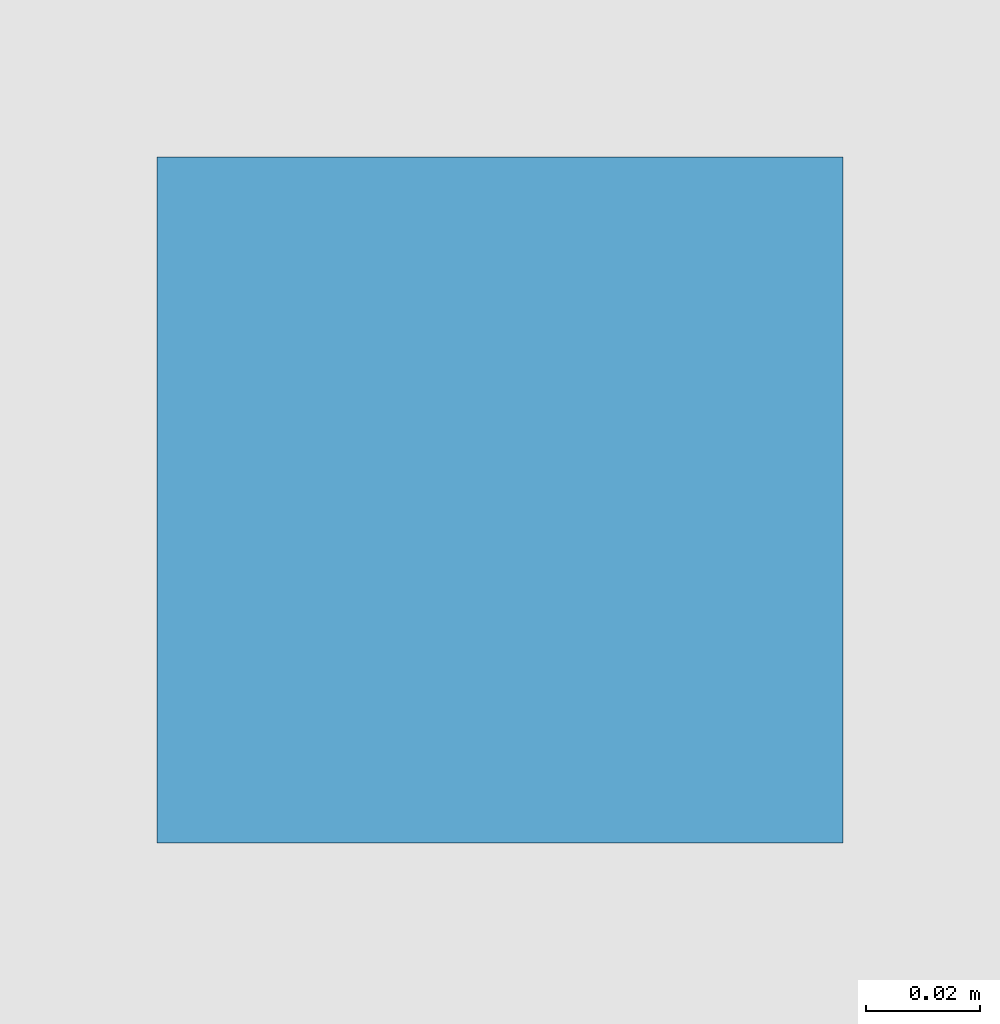
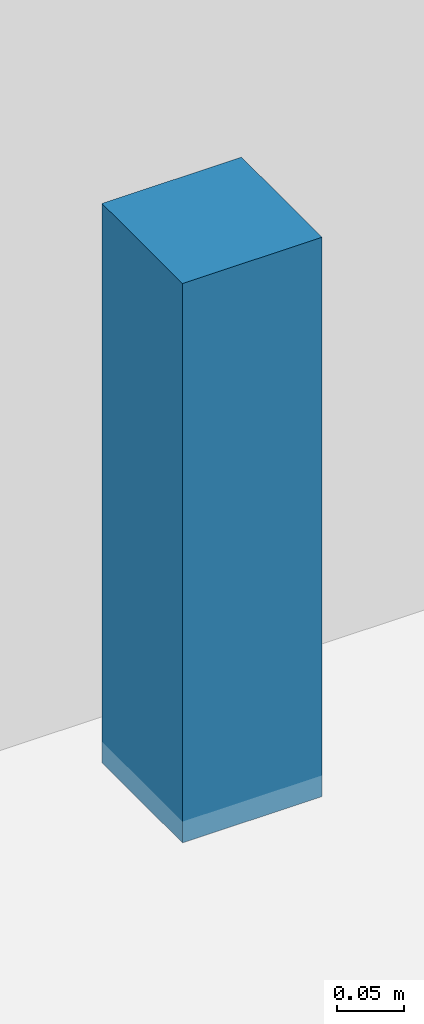
# One storey, part 77 of 120: 1 discrete accessory.
"""IFC4 building model written with IfcOpenShell, lengths in metres."""

from ifc_helpers import new_model, si_unit, direction, frame, origin, origin_2d, place, context, subcontext, project, spatial, rectangle, extrude, material, layer, layer_set, type_object, element, save


model = new_model("IFC4")

# Units and contexts
model_context = context("Model", 3, precision=1e-05, world=origin(), true_north=direction((0.0, 1.0)))
body_context = subcontext(model_context, "Body", "Model", "MODEL_VIEW")
ifc_project = project(units=[si_unit("LENGTHUNIT", "METRE"), si_unit("AREAUNIT", "SQUARE_METRE"), si_unit("VOLUMEUNIT", "CUBIC_METRE"), si_unit("PLANEANGLEUNIT", "RADIAN"), si_unit("MASSUNIT", "GRAM", prefix="KILO")], contexts=[model_context])

# Site, building, storey
site_placement = place(None, origin())
site = spatial("IfcSite", under=ifc_project, at=site_placement, CompositionType="ELEMENT")
building_placement = place(site_placement, origin())
building = spatial("IfcBuilding", under=site, at=building_placement, Name="Luwafu Chhajja Arena", CompositionType="ELEMENT")
storey_placement = place(building_placement, origin())
storey = spatial("IfcBuildingStorey", under=building, at=storey_placement, Name="L00", CompositionType="ELEMENT", Elevation=0.0)

# Discrete accessory
ifc_material = material(Name="Stainless steel bracket", Category="steel")
ifc_layer = layer(ifc_material, 0.179931640625, Name="Stainless steel bracket")
ifc_layer_set = layer_set([ifc_layer], Name="Stainless steel bracket")
discrete_accessory_type = type_object("IfcDiscreteAccessoryType", Name="Stainless Steel Facade Support Bracket", PredefinedType="BRACKET", material=ifc_layer_set)
discrete_accessory_placement = place(storey_placement, frame((40.0, 38.5, 4.6015625), z_axis=(0.0, 0.0, 1.0), x_axis=(1.0, 0.0, 0.0)))
element("IfcDiscreteAccessory", 1, at=discrete_accessory_placement, inside=storey, type_object=discrete_accessory_type, Name="L00 Ceiling Suspension Hanger 005", PredefinedType="BRACKET", context=body_context, shape_type="SweptSolid", body=[
    extrude(rectangle(XDim=0.1201171875, YDim=0.1201171875, at=origin_2d()), origin(), (0.0, 0.0, 1.0), 0.508544921875),
])

save(model, "model.ifc")
